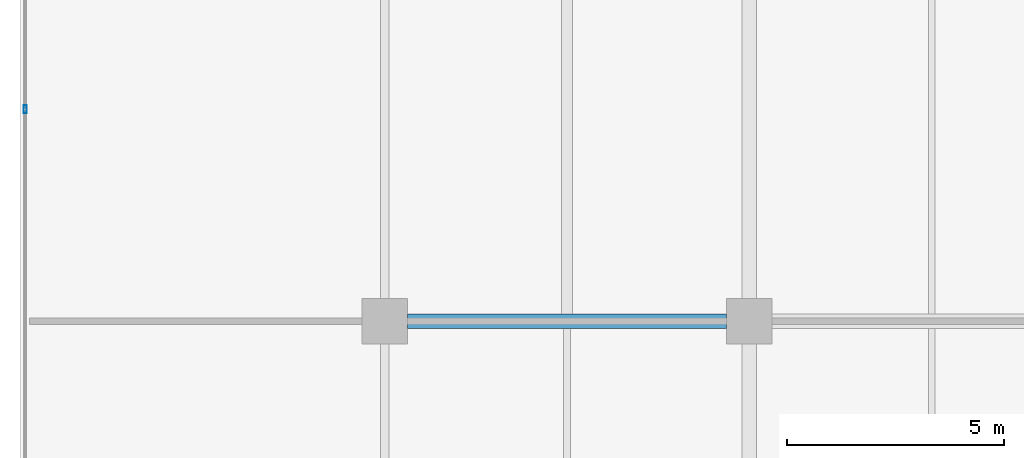
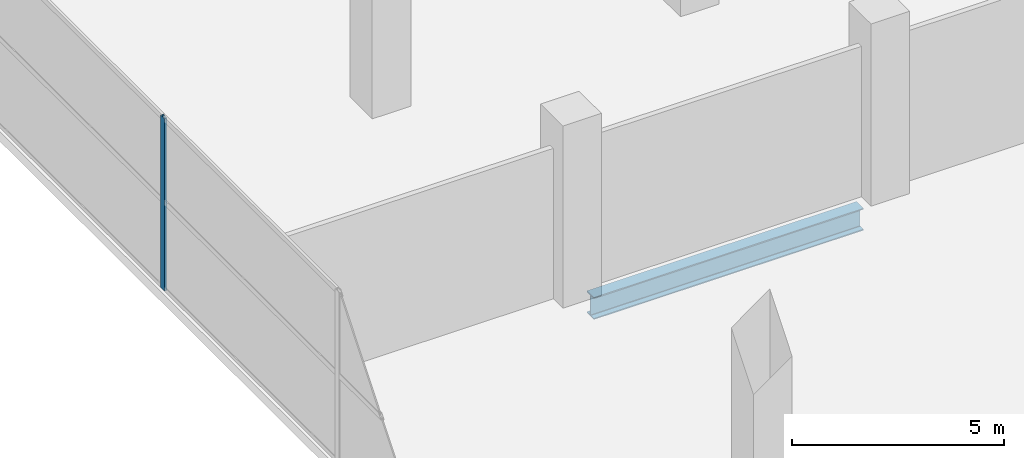
# One storey, part 9 of 40: 1 beam, 1 member, 1 element without a shape of its own.
"""IFC4 building model written with IfcOpenShell, lengths in metres."""

from ifc_helpers import new_model, si_unit, direction, frame, origin, origin_2d, place, context, subcontext, project, spatial, hollow_rectangle, i_section, extrude, material, layer, layer_set, material_profile, profile_set, type_object, element, aggregate, save


model = new_model("IFC4")

# Units and contexts
model_context = context("Model", 3, precision=1e-05, world=origin(), true_north=direction((0.0, 1.0)))
body_context = subcontext(model_context, "Body", "Model", "MODEL_VIEW")
ifc_project = project(units=[si_unit("LENGTHUNIT", "METRE"), si_unit("AREAUNIT", "SQUARE_METRE"), si_unit("VOLUMEUNIT", "CUBIC_METRE"), si_unit("PLANEANGLEUNIT", "RADIAN"), si_unit("MASSUNIT", "GRAM", prefix="KILO")], contexts=[model_context])

# Site, building, storey
site_placement = place(None, origin())
site = spatial("IfcSite", under=ifc_project, at=site_placement, CompositionType="ELEMENT")
building_placement = place(site_placement, origin())
building = spatial("IfcBuilding", under=site, at=building_placement, Name="Maruvema Waterfront Hotel and Observation Tower", CompositionType="ELEMENT")
storey_placement = place(building_placement, frame((0.0, 0.0, 5.60009765625)))
storey = spatial("IfcBuildingStorey", under=building, at=storey_placement, Name="L01", CompositionType="ELEMENT", Elevation=5.60009765625)

# Curtain wall, member
ifc_material_1 = material(Name="Anodised bronze aluminium and solar-control low-E IGU", Category="aluminium")
ifc_layer = layer(ifc_material_1, 0.159912109375, Name="Podium Waterfront Storefront Curtain Wall System CW-01")
ifc_layer_set = layer_set([ifc_layer], Name="Anodised bronze aluminium and solar-control low-E IGU")
curtain_wall_type = type_object("IfcCurtainWallType", Name="Podium Waterfront Storefront Curtain Wall System CW-01", PredefinedType="USERDEFINED", material=ifc_layer_set)
curtain_wall_placement = place(storey_placement, origin())
curtain_wall = element("IfcCurtainWall", 1, at=curtain_wall_placement, inside=storey, type_object=curtain_wall_type, Name="L01 Curtain Wall CW-L01-W", ObjectType="UNITISED CURTAIN WALL", PredefinedType="USERDEFINED")
ifc_material_2 = material(Name="Anodised architectural bronze aluminium", Category="aluminium")
ifc_material_profile_1 = material_profile(ifc_material_2, hollow_rectangle(XDim=0.070068359375, YDim=0.18994140625, WallThickness=0.00390625, at=origin_2d()), Name="ALU-M70x190")
ifc_profile_set_1 = profile_set([ifc_material_profile_1], Name="Anodised architectural bronze aluminium")
member_type = type_object("IfcMemberType", Name="Podium Storefront Heavy Mullion ALU-M70x190", PredefinedType="MULLION", material=ifc_profile_set_1)
member_placement = place(storey_placement, frame((0.1201171875, 22.8798828125, 0.0), z_axis=(0.0, 0.0, 1.0), x_axis=(1.0, 0.0, 0.0)))
member = element("IfcMember", 2, at=member_placement, type_object=member_type, Name="CW-01 mullion 4", PredefinedType="MULLION", context=body_context, shape_type="SweptSolid", body=[
    extrude(hollow_rectangle(XDim=0.070068359375, YDim=0.18994140625, WallThickness=0.00390625, at=origin_2d()), origin(), (0.0, 0.0, 1.0), 4.969970703125),
])
aggregate(curtain_wall, [member])

# Beam
ifc_material_3 = material(Name="Steel ASTM A572 Grade 50", Category="steel")
ifc_material_profile_2 = material_profile(ifc_material_3, i_section(OverallWidth=0.3291015625, OverallDepth=0.635009765625, WebThickness=0.017822265625, FlangeThickness=0.031005859375, FilletRadius=0.01806640625, at=origin_2d()), Name="W610x241.0")
ifc_profile_set_2 = profile_set([ifc_material_profile_2], Name="Steel ASTM A572 Grade 50")
beam_type = type_object("IfcBeamType", Name="Primary Floor Girder W610x241.0", PredefinedType="BEAM", material=ifc_profile_set_2)
beam_placement = place(storey_placement, frame((8.925048828125, 18.0, -0.59765625), z_axis=(1.0, 0.0, 0.0), x_axis=(0.0, 1.0, 0.0)))
element("IfcBeam", 3, at=beam_placement, inside=storey, type_object=beam_type, Name="L01 Floor Girder EW-15", PredefinedType="BEAM", context=body_context, shape_type="SweptSolid", body=[
    extrude(i_section(OverallWidth=0.3291015625, OverallDepth=0.635009765625, WebThickness=0.017822265625, FlangeThickness=0.031005859375, FilletRadius=0.01806640625, at=origin_2d()), origin(), (0.0, 0.0, 1.0), 7.349853515625),
])

save(model, "model.ifc")
